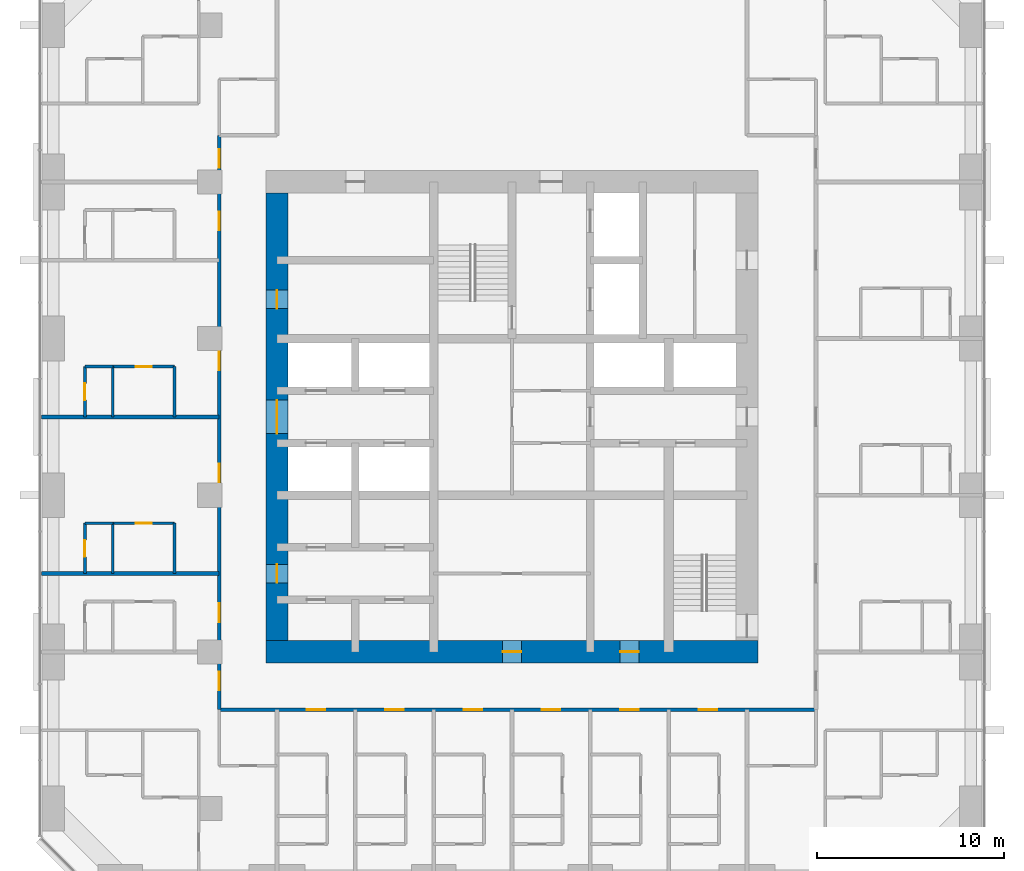
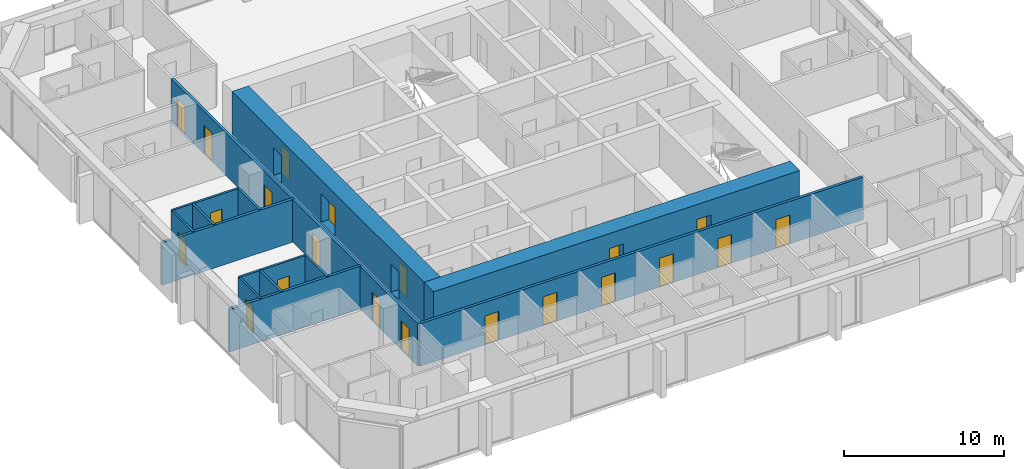
# One storey, part 9 of 14: 21 doors, 16 walls, 21 openings.
"""IFC4 building model written with IfcOpenShell, lengths in metres."""

from ifc_helpers import new_model, si_unit, direction, frame, frame_2d, origin, place, context, subcontext, project, spatial, rectangle, extrude, material, layer, layer_set, type_object, element, fill, save


model = new_model("IFC4")

# Units and contexts
model_context = context("Model", 3, precision=1e-05, world=origin(), true_north=direction((0.0, 1.0)))
body_context = subcontext(model_context, "Body", "Model", "MODEL_VIEW")
ifc_project = project(units=[si_unit("LENGTHUNIT", "METRE"), si_unit("AREAUNIT", "SQUARE_METRE"), si_unit("VOLUMEUNIT", "CUBIC_METRE"), si_unit("PLANEANGLEUNIT", "RADIAN"), si_unit("MASSUNIT", "GRAM", prefix="KILO")], contexts=[model_context])

# Site, building, storey
site_placement = place(None, origin())
site = spatial("IfcSite", under=ifc_project, at=site_placement, CompositionType="ELEMENT")
building_placement = place(site_placement, origin())
building = spatial("IfcBuilding", under=site, at=building_placement, Name="Dunama Terrace Hotel", CompositionType="ELEMENT")
storey_placement = place(building_placement, frame((0.0, 0.0, 213.0)))
storey = spatial("IfcBuildingStorey", under=building, at=storey_placement, Name="L55", CompositionType="ELEMENT", Elevation=213.0)

# Walls
ifc_material_1 = material(Name="Gypsum board partition", Category="masonry")
ifc_layer_1 = layer(ifc_material_1, 0.14990234375)
ifc_layer_set_1 = layer_set([ifc_layer_1], Name="Bathroom partition 150")
wall_type_1 = type_object("IfcWallType", Name="Bathroom partition 150", PredefinedType="PARTITIONING", material=ifc_layer_set_1)
wall_1_placement = place(storey_placement, frame((11.300048828125, 21.0, 0.0), z_axis=(0.0, 0.0, 1.0), x_axis=(0.0, 1.0, 0.0)))
element("IfcWall", 1, at=wall_1_placement, inside=storey, type_object=wall_type_1, Name="Bathroom partition 150 L55", PredefinedType="PARTITIONING", context=body_context, shape_type="SweptSolid", body=[
    extrude(rectangle(XDim=2.699951171875, YDim=0.14990234375, at=frame_2d((1.35009765625, 0.0))), origin(), (0.0, 0.0, 1.0), 3.25),
])
wall_2_placement = place(storey_placement, frame((11.300048828125, 29.39990234375, 0.0), z_axis=(0.0, 0.0, 1.0), x_axis=(0.0, 1.0, 0.0)))
element("IfcWall", 2, at=wall_2_placement, inside=storey, type_object=wall_type_1, Name="Bathroom partition 150 L55", PredefinedType="PARTITIONING", context=body_context, shape_type="SweptSolid", body=[
    extrude(rectangle(XDim=2.7001953125, YDim=0.14990234375, at=frame_2d((1.35009765625, 0.0))), origin(), (0.0, 0.0, 1.0), 3.25),
])

# Wall, opening, door
wall_3_placement = place(storey_placement, frame((8.0, 23.699951171875, 0.0), z_axis=(0.0, 0.0, 1.0), x_axis=(1.0, 0.0, 0.0)))
wall_3 = element("IfcWall", 3, at=wall_3_placement, inside=storey, type_object=wall_type_1, Name="Bathroom partition 150 L55", PredefinedType="PARTITIONING", context=body_context, shape_type="SweptSolid", body=[
    extrude(rectangle(XDim=3.300048828125, YDim=0.14990234375, at=frame_2d((1.64990234375, 0.0))), origin(), (0.0, 0.0, 1.0), 3.25),
])
opening_1_placement = place(wall_3_placement, frame((1.22509765625, 0.0, 0.0)))
opening_1 = element("IfcOpeningElement", 4, at=opening_1_placement, cuts=wall_3, Name="Opening L55-040", PredefinedType="OPENING", context=body_context, shape_type="SweptSolid", body=[
    extrude(rectangle(XDim=0.85009765625, YDim=2.10009765625, at=frame_2d((0.425048828125, 1.050048828125))), frame((0.0, 0.0849609375, 0.0), z_axis=(0.0, -1.0, 0.0), x_axis=(1.0, 0.0, 0.0)), (0.0, 0.0, 1.0), 0.169921875),
])
ifc_material_2 = material(Name="Timber door with steel frame", Category="steel")
door_type_1 = type_object("IfcDoorType", Name="Bathroom door 850", OperationType="SINGLE_SWING_LEFT", PredefinedType="DOOR", material=ifc_material_2)
door_1_placement = place(opening_1_placement, frame((0.85009765625, 0.0, 0.0), z_axis=(0.0, 0.0, 1.0), x_axis=(-1.0, 0.0, 0.0)))
door_1 = element("IfcDoor", 5, at=door_1_placement, inside=storey, type_object=door_type_1, Name="Door to en-suite bathroom L55-040, type D2", OperationType="SINGLE_SWING_RIGHT", OverallHeight=2.10009765625, OverallWidth=0.85009765625, PredefinedType="DOOR", context=body_context, shape_type="SweptSolid", body=[
    extrude(rectangle(XDim=0.85009765625, YDim=2.10009765625, at=frame_2d((0.425048828125, 1.050048828125))), frame((0.0, 0.025146484375, 0.0), z_axis=(0.0, -1.0, 0.0), x_axis=(1.0, 0.0, 0.0)), (0.0, 0.0, 1.0), 0.050048828125),
])
fill(opening_1, door_1)

wall_4_placement = place(storey_placement, frame((8.0, 32.10009765625, 0.0), z_axis=(0.0, 0.0, 1.0), x_axis=(1.0, 0.0, 0.0)))
wall_4 = element("IfcWall", 6, at=wall_4_placement, inside=storey, type_object=wall_type_1, Name="Bathroom partition 150 L55", PredefinedType="PARTITIONING", context=body_context, shape_type="SweptSolid", body=[
    extrude(rectangle(XDim=3.300048828125, YDim=0.14990234375, at=frame_2d((1.64990234375, 0.0))), origin(), (0.0, 0.0, 1.0), 3.25),
])
opening_2_placement = place(wall_4_placement, frame((1.22509765625, 0.0, 0.0)))
opening_2 = element("IfcOpeningElement", 7, at=opening_2_placement, cuts=wall_4, Name="Opening L55-043", PredefinedType="OPENING", context=body_context, shape_type="SweptSolid", body=[
    extrude(rectangle(XDim=0.85009765625, YDim=2.10009765625, at=frame_2d((0.425048828125, 1.050048828125))), frame((0.0, 0.0849609375, 0.0), z_axis=(0.0, -1.0, 0.0), x_axis=(1.0, 0.0, 0.0)), (0.0, 0.0, 1.0), 0.169921875),
])
door_2_placement = place(opening_2_placement, frame((0.85009765625, 0.0, 0.0), z_axis=(0.0, 0.0, 1.0), x_axis=(-1.0, 0.0, 0.0)))
door_2 = element("IfcDoor", 8, at=door_2_placement, inside=storey, type_object=door_type_1, Name="Door to en-suite bathroom L55-043, type D2", OperationType="SINGLE_SWING_RIGHT", OverallHeight=2.10009765625, OverallWidth=0.85009765625, PredefinedType="DOOR", context=body_context, shape_type="SweptSolid", body=[
    extrude(rectangle(XDim=0.85009765625, YDim=2.10009765625, at=frame_2d((0.425048828125, 1.050048828125))), frame((0.0, 0.025146484375, 0.0), z_axis=(0.0, -1.0, 0.0), x_axis=(1.0, 0.0, 0.0)), (0.0, 0.0, 1.0), 0.050048828125),
])
fill(opening_2, door_2)

# Wall, openings, doors
ifc_material_3 = material(Name="Concrete C60/75", Category="concrete")
ifc_layer_2 = layer(ifc_material_3, 1.199951171875)
ifc_layer_set_2 = layer_set([ifc_layer_2], Name="Core wall 1200")
wall_type_2 = type_object("IfcWallType", Name="Core wall 1200", PredefinedType="SHEAR", material=ifc_layer_set_2)
wall_5_placement = place(storey_placement, frame((16.199951171875, 16.800048828125, -0.35009765625), z_axis=(0.0, 0.0, 1.0), x_axis=(1.0, 0.0, 0.0)))
wall_5 = element("IfcWall", 9, at=wall_5_placement, inside=storey, type_object=wall_type_2, Name="Core wall south L55", PredefinedType="SHEAR", context=body_context, shape_type="SweptSolid", body=[
    extrude(rectangle(XDim=26.400146484375, YDim=1.199951171875, at=frame_2d((13.2001953125, 0.0))), origin(), (0.0, 0.0, 1.0), 3.60009765625),
])
opening_3_placement = place(wall_5_placement, frame((12.699951171875, 0.0, 0.35009765625)))
opening_3 = element("IfcOpeningElement", 10, at=opening_3_placement, cuts=wall_5, Name="Opening L55-086", PredefinedType="OPENING", context=body_context, shape_type="SweptSolid", body=[
    extrude(rectangle(XDim=1.0, YDim=2.10009765625, at=frame_2d((0.5, 1.050048828125))), frame((0.0, 0.60986328125, 0.0), z_axis=(0.0, -1.0, 0.0), x_axis=(1.0, 0.0, 0.0)), (0.0, 0.0, 1.0), 1.219970703125),
])
opening_4_placement = place(wall_5_placement, frame((19.0, 0.0, 0.35009765625)))
opening_4 = element("IfcOpeningElement", 11, at=opening_4_placement, cuts=wall_5, Name="Opening L55-088", PredefinedType="OPENING", context=body_context, shape_type="SweptSolid", body=[
    extrude(rectangle(XDim=1.0, YDim=2.10009765625, at=frame_2d((0.5, 1.050048828125))), frame((0.0, 0.60986328125, 0.0), z_axis=(0.0, -1.0, 0.0), x_axis=(1.0, 0.0, 0.0)), (0.0, 0.0, 1.0), 1.219970703125),
])
ifc_material_4 = material(Name="Timber door with steel frame", Category="steel")
door_type_2 = type_object("IfcDoorType", Name="Service door 1000", OperationType="SINGLE_SWING_LEFT", PredefinedType="DOOR", material=ifc_material_4)
door_3_placement = place(opening_3_placement, origin())
door_3 = element("IfcDoor", 12, at=door_3_placement, inside=storey, type_object=door_type_2, Name="Door to corridor air handling room L55-086, type D7", OperationType="SINGLE_SWING_LEFT", OverallHeight=2.10009765625, OverallWidth=1.0, PredefinedType="DOOR", context=body_context, shape_type="SweptSolid", body=[
    extrude(rectangle(XDim=1.0, YDim=2.10009765625, at=frame_2d((0.5, 1.050048828125))), frame((0.0, 0.02490234375, 0.0), z_axis=(0.0, -1.0, 0.0), x_axis=(1.0, 0.0, 0.0)), (0.0, 0.0, 1.0), 0.050048828125),
])
fill(opening_3, door_3)
door_4_placement = place(opening_4_placement, origin())
door_4 = element("IfcDoor", 13, at=door_4_placement, inside=storey, type_object=door_type_2, Name="Door to water riser room L55-088, type D7", OperationType="SINGLE_SWING_RIGHT", OverallHeight=2.10009765625, OverallWidth=1.0, PredefinedType="DOOR", context=body_context, shape_type="SweptSolid", body=[
    extrude(rectangle(XDim=1.0, YDim=2.10009765625, at=frame_2d((0.5, 1.050048828125))), frame((0.0, 0.02490234375, 0.0), z_axis=(0.0, -1.0, 0.0), x_axis=(1.0, 0.0, 0.0)), (0.0, 0.0, 1.0), 0.050048828125),
])
fill(opening_4, door_4)

wall_6_placement = place(storey_placement, frame((16.800048828125, 41.39990234375, -0.35009765625), z_axis=(0.0, 0.0, 1.0), x_axis=(0.0, -1.0, 0.0)))
wall_6 = element("IfcWall", 14, at=wall_6_placement, inside=storey, type_object=wall_type_2, Name="Core wall west L55", PredefinedType="SHEAR", context=body_context, shape_type="SweptSolid", body=[
    extrude(rectangle(XDim=24.0, YDim=1.199951171875, at=frame_2d((12.0, 0.0))), origin(), (0.0, 0.0, 1.0), 3.60009765625),
])
opening_5_placement = place(wall_6_placement, frame((11.10009765625, 0.0, 0.35009765625)))
opening_5 = element("IfcOpeningElement", 15, at=opening_5_placement, cuts=wall_6, Name="Opening L55-068", PredefinedType="OPENING", context=body_context, shape_type="SweptSolid", body=[
    extrude(rectangle(XDim=1.800048828125, YDim=2.199951171875, at=frame_2d((0.89990234375, 1.10009765625))), frame((0.0, 0.60986328125, 0.0), z_axis=(0.0, -1.0, 0.0), x_axis=(1.0, 0.0, 0.0)), (0.0, 0.0, 1.0), 1.219970703125),
])
opening_6_placement = place(wall_6_placement, frame((19.89990234375, 0.0, 0.35009765625)))
opening_6 = element("IfcOpeningElement", 16, at=opening_6_placement, cuts=wall_6, Name="Opening L55-073", PredefinedType="OPENING", context=body_context, shape_type="SweptSolid", body=[
    extrude(rectangle(XDim=1.0, YDim=2.10009765625, at=frame_2d((0.5, 1.050048828125))), frame((0.0, 0.60986328125, 0.0), z_axis=(0.0, -1.0, 0.0), x_axis=(1.0, 0.0, 0.0)), (0.0, 0.0, 1.0), 1.219970703125),
])
opening_7_placement = place(wall_6_placement, frame((5.199951171875, 0.0, 0.35009765625)))
opening_7 = element("IfcOpeningElement", 17, at=opening_7_placement, cuts=wall_6, Name="Opening L55-074", PredefinedType="OPENING", context=body_context, shape_type="SweptSolid", body=[
    extrude(rectangle(XDim=1.0, YDim=2.10009765625, at=frame_2d((0.5, 1.050048828125))), frame((0.0, 0.60986328125, 0.0), z_axis=(0.0, -1.0, 0.0), x_axis=(1.0, 0.0, 0.0)), (0.0, 0.0, 1.0), 1.219970703125),
])
ifc_material_5 = material(Name="Timber door with steel frame", Category="steel")
door_type_3 = type_object("IfcDoorType", Name="Lift lobby double door 1800", OperationType="DOUBLE_DOOR_DOUBLE_SWING", PredefinedType="DOOR", material=ifc_material_5)
door_5_placement = place(opening_5_placement, origin())
door_5 = element("IfcDoor", 18, at=door_5_placement, inside=storey, type_object=door_type_3, Name="Door to lift lobby L55-068, type D3", OperationType="DOUBLE_DOOR_DOUBLE_SWING", OverallHeight=2.199951171875, OverallWidth=1.800048828125, PredefinedType="DOOR", context=body_context, shape_type="SweptSolid", body=[
    extrude(rectangle(XDim=1.800048828125, YDim=2.199951171875, at=frame_2d((0.89990234375, 1.10009765625))), frame((0.0, 0.02490234375, 0.0), z_axis=(0.0, -1.0, 0.0), x_axis=(1.0, 0.0, 0.0)), (0.0, 0.0, 1.0), 0.050048828125),
])
fill(opening_5, door_5)
door_6_placement = place(opening_6_placement, origin())
door_6 = element("IfcDoor", 19, at=door_6_placement, inside=storey, type_object=door_type_2, Name="Door to back-of-house lobby L55-073, type D7", OperationType="SINGLE_SWING_LEFT", OverallHeight=2.10009765625, OverallWidth=1.0, PredefinedType="DOOR", context=body_context, shape_type="SweptSolid", body=[
    extrude(rectangle(XDim=1.0, YDim=2.10009765625, at=frame_2d((0.5, 1.050048828125))), frame((0.0, 0.02490234375, 0.0), z_axis=(0.0, -1.0, 0.0), x_axis=(1.0, 0.0, 0.0)), (0.0, 0.0, 1.0), 0.050048828125),
])
fill(opening_6, door_6)
door_7_placement = place(opening_7_placement, origin())
door_7 = element("IfcDoor", 20, at=door_7_placement, inside=storey, type_object=door_type_2, Name="Door to electrical room L55-074, type D7", OperationType="SINGLE_SWING_RIGHT", OverallHeight=2.10009765625, OverallWidth=1.0, PredefinedType="DOOR", context=body_context, shape_type="SweptSolid", body=[
    extrude(rectangle(XDim=1.0, YDim=2.10009765625, at=frame_2d((0.5, 1.050048828125))), frame((0.0, 0.02490234375, 0.0), z_axis=(0.0, -1.0, 0.0), x_axis=(1.0, 0.0, 0.0)), (0.0, 0.0, 1.0), 0.050048828125),
])
fill(opening_7, door_7)

ifc_material_6 = material(Name="Concrete blockwork", Category="masonry")
ifc_layer_3 = layer(ifc_material_6, 0.199951171875)
ifc_layer_set_3 = layer_set([ifc_layer_3], Name="Corridor partition 200")
wall_type_3 = type_object("IfcWallType", Name="Corridor partition 200", PredefinedType="PARTITIONING", material=ifc_layer_set_3)
wall_7_placement = place(storey_placement, frame((13.699951171875, 13.699951171875, 0.0), z_axis=(0.0, 0.0, 1.0), x_axis=(0.0, 1.0, 0.0)))
wall_7 = element("IfcWall", 21, at=wall_7_placement, inside=storey, type_object=wall_type_3, Name="Corridor partition 200 L55", PredefinedType="PARTITIONING", context=body_context, shape_type="SweptSolid", body=[
    extrude(rectangle(XDim=30.800048828125, YDim=0.199951171875, at=frame_2d((15.39990234375, 0.0))), origin(), (0.0, 0.0, 1.0), 3.25),
])
opening_8_placement = place(wall_7_placement, frame((4.699951171875, 0.0, 0.0)))
opening_8 = element("IfcOpeningElement", 22, at=opening_8_placement, cuts=wall_7, Name="Opening L55-036", PredefinedType="OPENING", context=body_context, shape_type="SweptSolid", body=[
    extrude(rectangle(XDim=1.0, YDim=2.199951171875, at=frame_2d((0.5, 1.10009765625))), frame((0.0, 0.10986328125, 0.0), z_axis=(0.0, -1.0, 0.0), x_axis=(1.0, 0.0, 0.0)), (0.0, 0.0, 1.0), 0.219970703125),
])
opening_9_placement = place(wall_7_placement, frame((12.199951171875, 0.0, 0.0)))
opening_9 = element("IfcOpeningElement", 23, at=opening_9_placement, cuts=wall_7, Name="Opening L55-039", PredefinedType="OPENING", context=body_context, shape_type="SweptSolid", body=[
    extrude(rectangle(XDim=1.0, YDim=2.199951171875, at=frame_2d((0.5, 1.10009765625))), frame((0.0, 0.10986328125, 0.0), z_axis=(0.0, -1.0, 0.0), x_axis=(1.0, 0.0, 0.0)), (0.0, 0.0, 1.0), 0.219970703125),
])
opening_10_placement = place(wall_7_placement, frame((18.199951171875, 0.0, 0.0)))
opening_10 = element("IfcOpeningElement", 24, at=opening_10_placement, cuts=wall_7, Name="Opening L55-042", PredefinedType="OPENING", context=body_context, shape_type="SweptSolid", body=[
    extrude(rectangle(XDim=1.0, YDim=2.199951171875, at=frame_2d((0.5, 1.10009765625))), frame((0.0, 0.10986328125, 0.0), z_axis=(0.0, -1.0, 0.0), x_axis=(1.0, 0.0, 0.0)), (0.0, 0.0, 1.0), 0.219970703125),
])
opening_11_placement = place(wall_7_placement, frame((25.699951171875, 0.0, 0.0)))
opening_11 = element("IfcOpeningElement", 25, at=opening_11_placement, cuts=wall_7, Name="Opening L55-045", PredefinedType="OPENING", context=body_context, shape_type="SweptSolid", body=[
    extrude(rectangle(XDim=1.0, YDim=2.199951171875, at=frame_2d((0.5, 1.10009765625))), frame((0.0, 0.10986328125, 0.0), z_axis=(0.0, -1.0, 0.0), x_axis=(1.0, 0.0, 0.0)), (0.0, 0.0, 1.0), 0.219970703125),
])
opening_12_placement = place(wall_7_placement, frame((1.050048828125, 0.0, 0.0)))
opening_12 = element("IfcOpeningElement", 26, at=opening_12_placement, cuts=wall_7, Name="Opening L55-048", PredefinedType="OPENING", context=body_context, shape_type="SweptSolid", body=[
    extrude(rectangle(XDim=1.0, YDim=2.199951171875, at=frame_2d((0.5, 1.10009765625))), frame((0.0, 0.10986328125, 0.0), z_axis=(0.0, -1.0, 0.0), x_axis=(1.0, 0.0, 0.0)), (0.0, 0.0, 1.0), 0.219970703125),
])
opening_13_placement = place(wall_7_placement, frame((29.050048828125, 0.0, 0.0)))
opening_13 = element("IfcOpeningElement", 27, at=opening_13_placement, cuts=wall_7, Name="Opening L55-063", PredefinedType="OPENING", context=body_context, shape_type="SweptSolid", body=[
    extrude(rectangle(XDim=1.0, YDim=2.199951171875, at=frame_2d((0.5, 1.10009765625))), frame((0.0, 0.10986328125, 0.0), z_axis=(0.0, -1.0, 0.0), x_axis=(1.0, 0.0, 0.0)), (0.0, 0.0, 1.0), 0.219970703125),
])
ifc_material_7 = material(Name="Timber door with steel frame", Category="steel")
door_type_4 = type_object("IfcDoorType", Name="Guest room door 1000", OperationType="SINGLE_SWING_LEFT", PredefinedType="DOOR", material=ifc_material_7)
door_8_placement = place(opening_8_placement, origin())
door_8 = element("IfcDoor", 28, at=door_8_placement, inside=storey, type_object=door_type_4, Name="Door to club room L55-036, type D1", OperationType="SINGLE_SWING_LEFT", OverallHeight=2.199951171875, OverallWidth=1.0, PredefinedType="DOOR", context=body_context, shape_type="SweptSolid", body=[
    extrude(rectangle(XDim=1.0, YDim=2.199951171875, at=frame_2d((0.5, 1.10009765625))), frame((0.0, 0.02490234375, 0.0), z_axis=(0.0, -1.0, 0.0), x_axis=(1.0, 0.0, 0.0)), (0.0, 0.0, 1.0), 0.050048828125),
])
fill(opening_8, door_8)
door_9_placement = place(opening_9_placement, origin())
door_9 = element("IfcDoor", 29, at=door_9_placement, inside=storey, type_object=door_type_4, Name="Door to junior suite L55-039, type D1", OperationType="SINGLE_SWING_LEFT", OverallHeight=2.199951171875, OverallWidth=1.0, PredefinedType="DOOR", context=body_context, shape_type="SweptSolid", body=[
    extrude(rectangle(XDim=1.0, YDim=2.199951171875, at=frame_2d((0.5, 1.10009765625))), frame((0.0, 0.02490234375, 0.0), z_axis=(0.0, -1.0, 0.0), x_axis=(1.0, 0.0, 0.0)), (0.0, 0.0, 1.0), 0.050048828125),
])
fill(opening_9, door_9)
door_10_placement = place(opening_10_placement, origin())
door_10 = element("IfcDoor", 30, at=door_10_placement, inside=storey, type_object=door_type_4, Name="Door to junior suite L55-042, type D1", OperationType="SINGLE_SWING_RIGHT", OverallHeight=2.199951171875, OverallWidth=1.0, PredefinedType="DOOR", context=body_context, shape_type="SweptSolid", body=[
    extrude(rectangle(XDim=1.0, YDim=2.199951171875, at=frame_2d((0.5, 1.10009765625))), frame((0.0, 0.02490234375, 0.0), z_axis=(0.0, -1.0, 0.0), x_axis=(1.0, 0.0, 0.0)), (0.0, 0.0, 1.0), 0.050048828125),
])
fill(opening_10, door_10)
door_11_placement = place(opening_11_placement, origin())
door_11 = element("IfcDoor", 31, at=door_11_placement, inside=storey, type_object=door_type_4, Name="Door to club room L55-045, type D1", OperationType="SINGLE_SWING_RIGHT", OverallHeight=2.199951171875, OverallWidth=1.0, PredefinedType="DOOR", context=body_context, shape_type="SweptSolid", body=[
    extrude(rectangle(XDim=1.0, YDim=2.199951171875, at=frame_2d((0.5, 1.10009765625))), frame((0.0, 0.02490234375, 0.0), z_axis=(0.0, -1.0, 0.0), x_axis=(1.0, 0.0, 0.0)), (0.0, 0.0, 1.0), 0.050048828125),
])
fill(opening_11, door_11)
door_12_placement = place(opening_12_placement, origin())
door_12 = element("IfcDoor", 32, at=door_12_placement, inside=storey, type_object=door_type_4, Name="Door to corner suite living room L55-048, type D1", OperationType="SINGLE_SWING_RIGHT", OverallHeight=2.199951171875, OverallWidth=1.0, PredefinedType="DOOR", context=body_context, shape_type="SweptSolid", body=[
    extrude(rectangle(XDim=1.0, YDim=2.199951171875, at=frame_2d((0.5, 1.10009765625))), frame((0.0, 0.02490234375, 0.0), z_axis=(0.0, -1.0, 0.0), x_axis=(1.0, 0.0, 0.0)), (0.0, 0.0, 1.0), 0.050048828125),
])
fill(opening_12, door_12)
door_13_placement = place(opening_13_placement, origin())
door_13 = element("IfcDoor", 33, at=door_13_placement, inside=storey, type_object=door_type_4, Name="Door to corner suite living room L55-063, type D1", OperationType="SINGLE_SWING_LEFT", OverallHeight=2.199951171875, OverallWidth=1.0, PredefinedType="DOOR", context=body_context, shape_type="SweptSolid", body=[
    extrude(rectangle(XDim=1.0, YDim=2.199951171875, at=frame_2d((0.5, 1.10009765625))), frame((0.0, 0.02490234375, 0.0), z_axis=(0.0, -1.0, 0.0), x_axis=(1.0, 0.0, 0.0)), (0.0, 0.0, 1.0), 0.050048828125),
])
fill(opening_13, door_13)

wall_8_placement = place(storey_placement, frame((45.699951171875, 13.699951171875, 0.0), z_axis=(0.0, 0.0, 1.0), x_axis=(-1.0, 0.0, 0.0)))
wall_8 = element("IfcWall", 34, at=wall_8_placement, inside=storey, type_object=wall_type_3, Name="Corridor partition 200 L55", PredefinedType="PARTITIONING", context=body_context, shape_type="SweptSolid", body=[
    extrude(rectangle(XDim=32.0, YDim=0.199951171875, at=frame_2d((16.0, 0.0))), origin(), (0.0, 0.0, 1.0), 3.25),
])
opening_14_placement = place(wall_8_placement, frame((26.300048828125, 0.0, 0.0)))
opening_14 = element("IfcOpeningElement", 35, at=opening_14_placement, cuts=wall_8, Name="Opening L55-009", PredefinedType="OPENING", context=body_context, shape_type="SweptSolid", body=[
    extrude(rectangle(XDim=1.0, YDim=2.199951171875, at=frame_2d((0.5, 1.10009765625))), frame((0.0, 0.10986328125, 0.0), z_axis=(0.0, -1.0, 0.0), x_axis=(1.0, 0.0, 0.0)), (0.0, 0.0, 1.0), 0.219970703125),
])
opening_15_placement = place(wall_8_placement, frame((22.10009765625, 0.0, 0.0)))
opening_15 = element("IfcOpeningElement", 36, at=opening_15_placement, cuts=wall_8, Name="Opening L55-012", PredefinedType="OPENING", context=body_context, shape_type="SweptSolid", body=[
    extrude(rectangle(XDim=1.0, YDim=2.199951171875, at=frame_2d((0.5, 1.10009765625))), frame((0.0, 0.10986328125, 0.0), z_axis=(0.0, -1.0, 0.0), x_axis=(1.0, 0.0, 0.0)), (0.0, 0.0, 1.0), 0.219970703125),
])
opening_16_placement = place(wall_8_placement, frame((17.89990234375, 0.0, 0.0)))
opening_16 = element("IfcOpeningElement", 37, at=opening_16_placement, cuts=wall_8, Name="Opening L55-015", PredefinedType="OPENING", context=body_context, shape_type="SweptSolid", body=[
    extrude(rectangle(XDim=1.0, YDim=2.199951171875, at=frame_2d((0.5, 1.10009765625))), frame((0.0, 0.10986328125, 0.0), z_axis=(0.0, -1.0, 0.0), x_axis=(1.0, 0.0, 0.0)), (0.0, 0.0, 1.0), 0.219970703125),
])
opening_17_placement = place(wall_8_placement, frame((13.699951171875, 0.0, 0.0)))
opening_17 = element("IfcOpeningElement", 38, at=opening_17_placement, cuts=wall_8, Name="Opening L55-018", PredefinedType="OPENING", context=body_context, shape_type="SweptSolid", body=[
    extrude(rectangle(XDim=1.0, YDim=2.199951171875, at=frame_2d((0.5, 1.10009765625))), frame((0.0, 0.10986328125, 0.0), z_axis=(0.0, -1.0, 0.0), x_axis=(1.0, 0.0, 0.0)), (0.0, 0.0, 1.0), 0.219970703125),
])
opening_18_placement = place(wall_8_placement, frame((9.5, 0.0, 0.0)))
opening_18 = element("IfcOpeningElement", 39, at=opening_18_placement, cuts=wall_8, Name="Opening L55-021", PredefinedType="OPENING", context=body_context, shape_type="SweptSolid", body=[
    extrude(rectangle(XDim=1.0, YDim=2.199951171875, at=frame_2d((0.5, 1.10009765625))), frame((0.0, 0.10986328125, 0.0), z_axis=(0.0, -1.0, 0.0), x_axis=(1.0, 0.0, 0.0)), (0.0, 0.0, 1.0), 0.219970703125),
])
opening_19_placement = place(wall_8_placement, frame((5.300048828125, 0.0, 0.0)))
opening_19 = element("IfcOpeningElement", 40, at=opening_19_placement, cuts=wall_8, Name="Opening L55-024", PredefinedType="OPENING", context=body_context, shape_type="SweptSolid", body=[
    extrude(rectangle(XDim=1.0, YDim=2.199951171875, at=frame_2d((0.5, 1.10009765625))), frame((0.0, 0.10986328125, 0.0), z_axis=(0.0, -1.0, 0.0), x_axis=(1.0, 0.0, 0.0)), (0.0, 0.0, 1.0), 0.219970703125),
])
door_14_placement = place(opening_14_placement, origin())
door_14 = element("IfcDoor", 41, at=door_14_placement, inside=storey, type_object=door_type_4, Name="Door to club room L55-009, type D1", OperationType="SINGLE_SWING_LEFT", OverallHeight=2.199951171875, OverallWidth=1.0, PredefinedType="DOOR", context=body_context, shape_type="SweptSolid", body=[
    extrude(rectangle(XDim=1.0, YDim=2.199951171875, at=frame_2d((0.5, 1.10009765625))), frame((0.0, 0.02490234375, 0.0), z_axis=(0.0, -1.0, 0.0), x_axis=(1.0, 0.0, 0.0)), (0.0, 0.0, 1.0), 0.050048828125),
])
fill(opening_14, door_14)
door_15_placement = place(opening_15_placement, origin())
door_15 = element("IfcDoor", 42, at=door_15_placement, inside=storey, type_object=door_type_4, Name="Door to club room L55-012, type D1", OperationType="SINGLE_SWING_LEFT", OverallHeight=2.199951171875, OverallWidth=1.0, PredefinedType="DOOR", context=body_context, shape_type="SweptSolid", body=[
    extrude(rectangle(XDim=1.0, YDim=2.199951171875, at=frame_2d((0.5, 1.10009765625))), frame((0.0, 0.02490234375, 0.0), z_axis=(0.0, -1.0, 0.0), x_axis=(1.0, 0.0, 0.0)), (0.0, 0.0, 1.0), 0.050048828125),
])
fill(opening_15, door_15)
door_16_placement = place(opening_16_placement, origin())
door_16 = element("IfcDoor", 43, at=door_16_placement, inside=storey, type_object=door_type_4, Name="Door to club room L55-015, type D1", OperationType="SINGLE_SWING_LEFT", OverallHeight=2.199951171875, OverallWidth=1.0, PredefinedType="DOOR", context=body_context, shape_type="SweptSolid", body=[
    extrude(rectangle(XDim=1.0, YDim=2.199951171875, at=frame_2d((0.5, 1.10009765625))), frame((0.0, 0.02490234375, 0.0), z_axis=(0.0, -1.0, 0.0), x_axis=(1.0, 0.0, 0.0)), (0.0, 0.0, 1.0), 0.050048828125),
])
fill(opening_16, door_16)
door_17_placement = place(opening_17_placement, origin())
door_17 = element("IfcDoor", 44, at=door_17_placement, inside=storey, type_object=door_type_4, Name="Door to club room L55-018, type D1", OperationType="SINGLE_SWING_LEFT", OverallHeight=2.199951171875, OverallWidth=1.0, PredefinedType="DOOR", context=body_context, shape_type="SweptSolid", body=[
    extrude(rectangle(XDim=1.0, YDim=2.199951171875, at=frame_2d((0.5, 1.10009765625))), frame((0.0, 0.02490234375, 0.0), z_axis=(0.0, -1.0, 0.0), x_axis=(1.0, 0.0, 0.0)), (0.0, 0.0, 1.0), 0.050048828125),
])
fill(opening_17, door_17)
door_18_placement = place(opening_18_placement, origin())
door_18 = element("IfcDoor", 45, at=door_18_placement, inside=storey, type_object=door_type_4, Name="Door to club room L55-021, type D1", OperationType="SINGLE_SWING_LEFT", OverallHeight=2.199951171875, OverallWidth=1.0, PredefinedType="DOOR", context=body_context, shape_type="SweptSolid", body=[
    extrude(rectangle(XDim=1.0, YDim=2.199951171875, at=frame_2d((0.5, 1.10009765625))), frame((0.0, 0.02490234375, 0.0), z_axis=(0.0, -1.0, 0.0), x_axis=(1.0, 0.0, 0.0)), (0.0, 0.0, 1.0), 0.050048828125),
])
fill(opening_18, door_18)
door_19_placement = place(opening_19_placement, origin())
door_19 = element("IfcDoor", 46, at=door_19_placement, inside=storey, type_object=door_type_4, Name="Door to club room L55-024, type D1", OperationType="SINGLE_SWING_LEFT", OverallHeight=2.199951171875, OverallWidth=1.0, PredefinedType="DOOR", context=body_context, shape_type="SweptSolid", body=[
    extrude(rectangle(XDim=1.0, YDim=2.199951171875, at=frame_2d((0.5, 1.10009765625))), frame((0.0, 0.02490234375, 0.0), z_axis=(0.0, -1.0, 0.0), x_axis=(1.0, 0.0, 0.0)), (0.0, 0.0, 1.0), 0.050048828125),
])
fill(opening_19, door_19)

# Walls
ifc_material_8 = material(Name="Concrete blockwork", Category="masonry")
ifc_layer_4 = layer(ifc_material_8, 0.199951171875)
ifc_layer_set_4 = layer_set([ifc_layer_4], Name="Party wall 200")
wall_type_4 = type_object("IfcWallType", Name="Party wall 200", PredefinedType="PARTITIONING", material=ifc_layer_set_4)
for number, where, z_axis, x_axis, name in (
    (47, (4.181884765625, 21.0, 0.0), (0.0, 0.0, 1.0), (1.0, 0.0, 0.0), "Party wall 200 L55"),
    (48, (4.181884765625, 29.39990234375, 0.0), (0.0, 0.0, 1.0), (1.0, 0.0, 0.0), "Party wall 200 L55"),
):
    element("IfcWall", number, at=place(storey_placement, frame(where, z_axis=z_axis, x_axis=x_axis)), inside=storey, type_object=wall_type_4, Name=name, PredefinedType="PARTITIONING", context=body_context, shape_type="SweptSolid", body=[
        extrude(rectangle(XDim=9.51806640625, YDim=0.199951171875, at=frame_2d((4.759033203125, 0.0))), origin(), (0.0, 0.0, 1.0), 3.25),
    ])

# Wall, opening, door
ifc_material_9 = material(Name="Gypsum board partition", Category="masonry")
ifc_layer_5 = layer(ifc_material_9, 0.14990234375)
ifc_layer_set_5 = layer_set([ifc_layer_5], Name="Room partition 150")
wall_type_5 = type_object("IfcWallType", Name="Room partition 150", PredefinedType="PARTITIONING", material=ifc_layer_set_5)
wall_9_placement = place(storey_placement, frame((6.5, 21.0, 0.0), z_axis=(0.0, 0.0, 1.0), x_axis=(0.0, 1.0, 0.0)))
wall_9 = element("IfcWall", 49, at=wall_9_placement, inside=storey, type_object=wall_type_5, Name="Room partition 150 L55", PredefinedType="PARTITIONING", context=body_context, shape_type="SweptSolid", body=[
    extrude(rectangle(XDim=2.699951171875, YDim=0.14990234375, at=frame_2d((1.35009765625, 0.0))), origin(), (0.0, 0.0, 1.0), 3.25),
])
opening_20_placement = place(wall_9_placement, frame((0.89990234375, 0.0, 0.0)))
opening_20 = element("IfcOpeningElement", 50, at=opening_20_placement, cuts=wall_9, Name="Opening L55-041", PredefinedType="OPENING", context=body_context, shape_type="SweptSolid", body=[
    extrude(rectangle(XDim=0.89990234375, YDim=2.10009765625, at=frame_2d((0.449951171875, 1.050048828125))), frame((0.0, 0.0849609375, 0.0), z_axis=(0.0, -1.0, 0.0), x_axis=(1.0, 0.0, 0.0)), (0.0, 0.0, 1.0), 0.169921875),
])
ifc_material_10 = material(Name="Timber door with steel frame", Category="steel")
door_type_5 = type_object("IfcDoorType", Name="Suite internal door 900", OperationType="SINGLE_SWING_LEFT", PredefinedType="DOOR", material=ifc_material_10)
door_20_placement = place(opening_20_placement, frame((0.89990234375, 0.0, 0.0), z_axis=(0.0, 0.0, 1.0), x_axis=(-1.0, 0.0, 0.0)))
door_20 = element("IfcDoor", 51, at=door_20_placement, inside=storey, type_object=door_type_5, Name="Door to walk-in wardrobe L55-041, type D16", OperationType="SINGLE_SWING_RIGHT", OverallHeight=2.10009765625, OverallWidth=0.89990234375, PredefinedType="DOOR", context=body_context, shape_type="SweptSolid", body=[
    extrude(rectangle(XDim=0.89990234375, YDim=2.10009765625, at=frame_2d((0.449951171875, 1.050048828125))), frame((0.0, 0.025146484375, 0.0), z_axis=(0.0, -1.0, 0.0), x_axis=(1.0, 0.0, 0.0)), (0.0, 0.0, 1.0), 0.050048828125),
])
fill(opening_20, door_20)

wall_10_placement = place(storey_placement, frame((6.5, 29.39990234375, 0.0), z_axis=(0.0, 0.0, 1.0), x_axis=(0.0, 1.0, 0.0)))
wall_10 = element("IfcWall", 52, at=wall_10_placement, inside=storey, type_object=wall_type_5, Name="Room partition 150 L55", PredefinedType="PARTITIONING", context=body_context, shape_type="SweptSolid", body=[
    extrude(rectangle(XDim=2.7001953125, YDim=0.14990234375, at=frame_2d((1.35009765625, 0.0))), origin(), (0.0, 0.0, 1.0), 3.25),
])
opening_21_placement = place(wall_10_placement, frame((0.89990234375, 0.0, 0.0)))
opening_21 = element("IfcOpeningElement", 53, at=opening_21_placement, cuts=wall_10, Name="Opening L55-044", PredefinedType="OPENING", context=body_context, shape_type="SweptSolid", body=[
    extrude(rectangle(XDim=0.89990234375, YDim=2.10009765625, at=frame_2d((0.449951171875, 1.050048828125))), frame((0.0, 0.0849609375, 0.0), z_axis=(0.0, -1.0, 0.0), x_axis=(1.0, 0.0, 0.0)), (0.0, 0.0, 1.0), 0.169921875),
])
door_21_placement = place(opening_21_placement, frame((0.89990234375, 0.0, 0.0), z_axis=(0.0, 0.0, 1.0), x_axis=(-1.0, 0.0, 0.0)))
door_21 = element("IfcDoor", 54, at=door_21_placement, inside=storey, type_object=door_type_5, Name="Door to walk-in wardrobe L55-044, type D16", OperationType="SINGLE_SWING_RIGHT", OverallHeight=2.10009765625, OverallWidth=0.89990234375, PredefinedType="DOOR", context=body_context, shape_type="SweptSolid", body=[
    extrude(rectangle(XDim=0.89990234375, YDim=2.10009765625, at=frame_2d((0.449951171875, 1.050048828125))), frame((0.0, 0.025146484375, 0.0), z_axis=(0.0, -1.0, 0.0), x_axis=(1.0, 0.0, 0.0)), (0.0, 0.0, 1.0), 0.050048828125),
])
fill(opening_21, door_21)

# Walls
wall_11_placement = place(storey_placement, frame((8.0, 21.0, 0.0), z_axis=(0.0, 0.0, 1.0), x_axis=(0.0, 1.0, 0.0)))
element("IfcWall", 55, at=wall_11_placement, inside=storey, type_object=wall_type_5, Name="Room partition 150 L55", PredefinedType="PARTITIONING", context=body_context, shape_type="SweptSolid", body=[
    extrude(rectangle(XDim=2.699951171875, YDim=0.14990234375, at=frame_2d((1.35009765625, 0.0))), origin(), (0.0, 0.0, 1.0), 3.25),
])
wall_12_placement = place(storey_placement, frame((8.0, 29.39990234375, 0.0), z_axis=(0.0, 0.0, 1.0), x_axis=(0.0, 1.0, 0.0)))
element("IfcWall", 56, at=wall_12_placement, inside=storey, type_object=wall_type_5, Name="Room partition 150 L55", PredefinedType="PARTITIONING", context=body_context, shape_type="SweptSolid", body=[
    extrude(rectangle(XDim=2.7001953125, YDim=0.14990234375, at=frame_2d((1.35009765625, 0.0))), origin(), (0.0, 0.0, 1.0), 3.25),
])
for number, where, z_axis, x_axis, name in (
    (57, (6.5, 23.699951171875, 0.0), (0.0, 0.0, 1.0), (1.0, 0.0, 0.0), "Room partition 150 L55"),
    (58, (6.5, 32.10009765625, 0.0), (0.0, 0.0, 1.0), (1.0, 0.0, 0.0), "Room partition 150 L55"),
):
    element("IfcWall", number, at=place(storey_placement, frame(where, z_axis=z_axis, x_axis=x_axis)), inside=storey, type_object=wall_type_5, Name=name, PredefinedType="PARTITIONING", context=body_context, shape_type="SweptSolid", body=[
        extrude(rectangle(XDim=1.5, YDim=0.14990234375, at=frame_2d((0.75, 0.0))), origin(), (0.0, 0.0, 1.0), 3.25),
    ])

save(model, "model.ifc")
